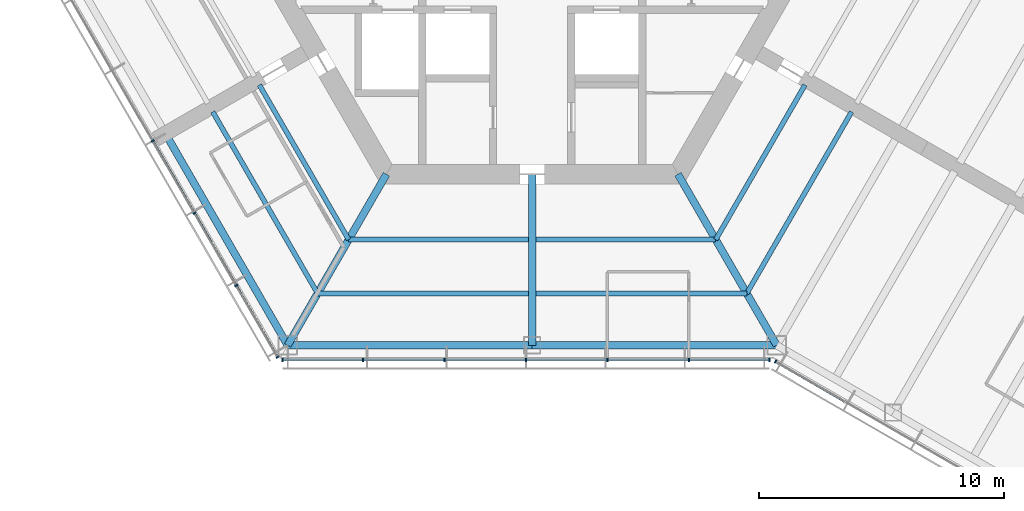
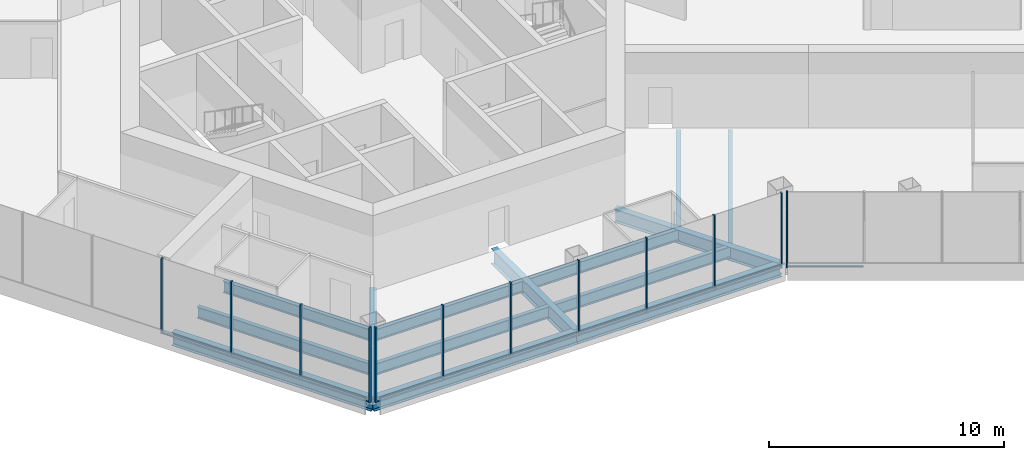
# One storey, part 2 of 15: 22 members, 14 beams, 3 elements without a shape of their own.
"""IFC4 building model written with IfcOpenShell, lengths in metres."""

from ifc_helpers import new_model, si_unit, direction, frame, origin, origin_2d, place, context, subcontext, project, spatial, rectangle, i_section, extrude, material, material_profile, profile_set, type_object, element, aggregate, save


model = new_model("IFC4")

# Units and contexts
model_context = context("Model", 3, precision=1e-05, world=origin(), true_north=direction((0.0, 1.0)))
body_context = subcontext(model_context, "Body", "Model", "MODEL_VIEW")
ifc_project = project(units=[si_unit("LENGTHUNIT", "METRE"), si_unit("AREAUNIT", "SQUARE_METRE"), si_unit("VOLUMEUNIT", "CUBIC_METRE"), si_unit("PLANEANGLEUNIT", "RADIAN"), si_unit("MASSUNIT", "GRAM", prefix="KILO")], contexts=[model_context])

# Site, building, storey
site_placement = place(None, origin())
site = spatial("IfcSite", under=ifc_project, at=site_placement, CompositionType="ELEMENT")
building_placement = place(site_placement, origin())
building = spatial("IfcBuilding", under=site, at=building_placement, Name="Kasaneha Research Tower", CompositionType="ELEMENT")
storey_placement = place(building_placement, frame((0.0, 0.0, 240.10009765625)))
storey = spatial("IfcBuildingStorey", under=building, at=storey_placement, Name="L60", CompositionType="ELEMENT", Elevation=240.10009765625)

# Beams
ifc_material_1 = material(Name="Steel SN490B", Category="steel")
ifc_material_profile_1 = material_profile(ifc_material_1, i_section(OverallWidth=0.199951171875, OverallDepth=0.60009765625, WebThickness=0.010986328125, FlangeThickness=0.01708984375, FilletRadius=0.012939453125, at=origin_2d()), Name="H-600x200x11x17")
ifc_profile_set_1 = profile_set([ifc_material_profile_1], Name="Steel SN490B")
beam_type_1 = type_object("IfcBeamType", Name="B1-3 secondary beam H-600x200x11x17", PredefinedType="JOIST", material=ifc_profile_set_1)
beam_1_placement = place(storey_placement, frame((-7.505615234375, -13.0, -0.4501953125), z_axis=(-0.499999192304, 0.866025870108, 0.0), x_axis=(-0.866025870108, -0.499999192304, 0.0)))
element("IfcBeam", 1, at=beam_1_placement, inside=storey, type_object=beam_type_1, Name="Secondary beam RS210R1 L60", PredefinedType="JOIST", context=body_context, shape_type="SweptSolid", body=[
    extrude(i_section(OverallWidth=0.199951171875, OverallDepth=0.60009765625, WebThickness=0.010986328125, FlangeThickness=0.01708984375, FilletRadius=0.012939453125, at=origin_2d()), origin(), (0.0, 0.0, 1.0), 7.3056640625),
])
beam_2_placement = place(storey_placement, frame((-8.775634765625, -15.199951171875, -0.4501953125), z_axis=(-0.500000102728, 0.866025344474, 0.0), x_axis=(-0.866025344474, -0.500000102728, 0.0)))
element("IfcBeam", 2, at=beam_2_placement, inside=storey, type_object=beam_type_1, Name="Secondary beam RS210R2 L60", PredefinedType="JOIST", context=body_context, shape_type="SweptSolid", body=[
    extrude(i_section(OverallWidth=0.199951171875, OverallDepth=0.60009765625, WebThickness=0.010986328125, FlangeThickness=0.01708984375, FilletRadius=0.012939453125, at=origin_2d()), origin(), (0.0, 0.0, 1.0), 8.57568359375),
])
beam_3_placement = place(storey_placement, frame((-7.505615234375, -13.0, -0.4501953125), z_axis=(1.0, 0.0, 0.0), x_axis=(0.0, 1.0, 0.0)))
element("IfcBeam", 3, at=beam_3_placement, inside=storey, type_object=beam_type_1, Name="Secondary beam RS270L1 L60", PredefinedType="JOIST", context=body_context, shape_type="SweptSolid", body=[
    extrude(i_section(OverallWidth=0.199951171875, OverallDepth=0.60009765625, WebThickness=0.010986328125, FlangeThickness=0.01708984375, FilletRadius=0.012939453125, at=origin_2d()), origin(), (0.0, 0.0, 1.0), 7.355712890625),
])
beam_4_placement = place(storey_placement, frame((-8.775634765625, -15.199951171875, -0.4501953125), z_axis=(1.0, 0.0, 0.0), x_axis=(0.0, 1.0, 0.0)))
element("IfcBeam", 4, at=beam_4_placement, inside=storey, type_object=beam_type_1, Name="Secondary beam RS270L2 L60", PredefinedType="JOIST", context=body_context, shape_type="SweptSolid", body=[
    extrude(i_section(OverallWidth=0.199951171875, OverallDepth=0.60009765625, WebThickness=0.010986328125, FlangeThickness=0.01708984375, FilletRadius=0.012939453125, at=origin_2d()), origin(), (0.0, 0.0, 1.0), 8.625732421875),
])
beam_5_placement = place(storey_placement, frame((7.505615234375, -13.0, -0.4501953125), z_axis=(-1.0, 0.0, 0.0), x_axis=(0.0, -1.0, 0.0)))
element("IfcBeam", 5, at=beam_5_placement, inside=storey, type_object=beam_type_1, Name="Secondary beam RS270R1 L60", PredefinedType="JOIST", context=body_context, shape_type="SweptSolid", body=[
    extrude(i_section(OverallWidth=0.199951171875, OverallDepth=0.60009765625, WebThickness=0.010986328125, FlangeThickness=0.01708984375, FilletRadius=0.012939453125, at=origin_2d()), origin(), (0.0, 0.0, 1.0), 7.355712890625),
])
beam_6_placement = place(storey_placement, frame((8.775634765625, -15.199951171875, -0.4501953125), z_axis=(-1.0, 0.0, 0.0), x_axis=(0.0, -1.0, 0.0)))
element("IfcBeam", 6, at=beam_6_placement, inside=storey, type_object=beam_type_1, Name="Secondary beam RS270R2 L60", PredefinedType="JOIST", context=body_context, shape_type="SweptSolid", body=[
    extrude(i_section(OverallWidth=0.199951171875, OverallDepth=0.60009765625, WebThickness=0.010986328125, FlangeThickness=0.01708984375, FilletRadius=0.012939453125, at=origin_2d()), origin(), (0.0, 0.0, 1.0), 8.625732421875),
])
beam_7_placement = place(storey_placement, frame((7.505615234375, -13.0, -0.4501953125), z_axis=(0.499999192304, 0.866025870108, 0.0), x_axis=(-0.866025870108, 0.499999192304, 0.0)))
element("IfcBeam", 7, at=beam_7_placement, inside=storey, type_object=beam_type_1, Name="Secondary beam RS330L1 L60", PredefinedType="JOIST", context=body_context, shape_type="SweptSolid", body=[
    extrude(i_section(OverallWidth=0.199951171875, OverallDepth=0.60009765625, WebThickness=0.010986328125, FlangeThickness=0.01708984375, FilletRadius=0.012939453125, at=origin_2d()), origin(), (0.0, 0.0, 1.0), 7.3056640625),
])
beam_8_placement = place(storey_placement, frame((8.775634765625, -15.199951171875, -0.4501953125), z_axis=(0.500000102728, 0.866025344474, 0.0), x_axis=(-0.866025344474, 0.500000102728, 0.0)))
element("IfcBeam", 8, at=beam_8_placement, inside=storey, type_object=beam_type_1, Name="Secondary beam RS330L2 L60", PredefinedType="JOIST", context=body_context, shape_type="SweptSolid", body=[
    extrude(i_section(OverallWidth=0.199951171875, OverallDepth=0.60009765625, WebThickness=0.010986328125, FlangeThickness=0.01708984375, FilletRadius=0.012939453125, at=origin_2d()), origin(), (0.0, 0.0, 1.0), 8.57568359375),
])

# Curtain wall, members
ifc_material_2 = material(Name="Glass and aluminium", Category="aluminium")
curtain_wall_type = type_object("IfcCurtainWallType", Name="High-rise office curtain wall", PredefinedType="USERDEFINED", material=ifc_material_2)
curtain_wall_1_placement = place(storey_placement, origin())
curtain_wall_1 = element("IfcCurtainWall", 9, at=curtain_wall_1_placement, inside=storey, type_object=curtain_wall_type, Name="CW-O3 L60 run 04a", ObjectType="UNITISED CURTAIN WALL", PredefinedType="USERDEFINED")
ifc_material_3 = material(Name="Aluminium 6063-T6", Category="aluminium")
ifc_material_profile_2 = material_profile(ifc_material_3, rectangle(XDim=0.06005859375, YDim=0.139892578125, at=origin_2d()), Name="CW-O3 mullion 60x140")
ifc_profile_set_2 = profile_set([ifc_material_profile_2], Name="Aluminium 6063-T6")
member_type_1 = type_object("IfcMemberType", Name="CW-O3 mullion", PredefinedType="MULLION", material=ifc_profile_set_2)
member_1_placement = place(storey_placement, frame((-15.51953125, -8.960205078125, 0.0), z_axis=(0.0, 0.0, 1.0), x_axis=(0.499999995722, -0.866025406254, 0.0)))
member_1 = element("IfcMember", 10, at=member_1_placement, type_object=member_type_1, Name="CW-O3 mullion 4", PredefinedType="MULLION", context=body_context, shape_type="SweptSolid", body=[
    extrude(rectangle(XDim=0.06005859375, YDim=0.139892578125, at=origin_2d()), origin(), (0.0, 0.0, 1.0), 3.89990234375),
])
member_2_placement = place(storey_placement, frame((-13.811767578125, -11.918212890625, 0.0), z_axis=(0.0, 0.0, 1.0), x_axis=(0.499999995722, -0.866025406254, 0.0)))
member_2 = element("IfcMember", 11, at=member_2_placement, type_object=member_type_1, Name="CW-O3 mullion 5", PredefinedType="MULLION", context=body_context, shape_type="SweptSolid", body=[
    extrude(rectangle(XDim=0.06005859375, YDim=0.139892578125, at=origin_2d()), origin(), (0.0, 0.0, 1.0), 3.89990234375),
])
member_3_placement = place(storey_placement, frame((-12.104248046875, -14.8759765625, 0.0), z_axis=(0.0, 0.0, 1.0), x_axis=(0.499999995722, -0.866025406254, 0.0)))
member_3 = element("IfcMember", 12, at=member_3_placement, type_object=member_type_1, Name="CW-O3 mullion 6", PredefinedType="MULLION", context=body_context, shape_type="SweptSolid", body=[
    extrude(rectangle(XDim=0.06005859375, YDim=0.139892578125, at=origin_2d()), origin(), (0.0, 0.0, 1.0), 3.89990234375),
])
member_4_placement = place(storey_placement, frame((-10.411376953125, -17.807861328125, 0.0), z_axis=(0.0, 0.0, 1.0), x_axis=(0.499999995722, -0.866025406254, 0.0)))
member_4 = element("IfcMember", 13, at=member_4_placement, type_object=member_type_1, Name="CW-O3 mullion 7", PredefinedType="MULLION", context=body_context, shape_type="SweptSolid", body=[
    extrude(rectangle(XDim=0.06005859375, YDim=0.139892578125, at=origin_2d()), origin(), (0.0, 0.0, 1.0), 3.89990234375),
])

curtain_wall_2_placement = place(storey_placement, origin())
curtain_wall_2 = element("IfcCurtainWall", 14, at=curtain_wall_2_placement, inside=storey, type_object=curtain_wall_type, Name="CW-O3 L60 run 05a", ObjectType="UNITISED CURTAIN WALL", PredefinedType="USERDEFINED")
member_5_placement = place(storey_placement, frame((-10.21630859375, -17.92041015625, 0.0), z_axis=(0.0, 0.0, 1.0), x_axis=(1.0, 0.0, 0.0)))
member_5 = element("IfcMember", 15, at=member_5_placement, type_object=member_type_1, Name="CW-O3 mullion 1", PredefinedType="MULLION", context=body_context, shape_type="SweptSolid", body=[
    extrude(rectangle(XDim=0.06005859375, YDim=0.139892578125, at=origin_2d()), origin(), (0.0, 0.0, 1.0), 3.89990234375),
])
member_6_placement = place(storey_placement, frame((-6.91552734375, -17.92041015625, 0.0), z_axis=(0.0, 0.0, 1.0), x_axis=(1.0, 0.0, 0.0)))
member_6 = element("IfcMember", 16, at=member_6_placement, type_object=member_type_1, Name="CW-O3 mullion 2", PredefinedType="MULLION", context=body_context, shape_type="SweptSolid", body=[
    extrude(rectangle(XDim=0.06005859375, YDim=0.139892578125, at=origin_2d()), origin(), (0.0, 0.0, 1.0), 3.89990234375),
])
member_7_placement = place(storey_placement, frame((-3.58447265625, -17.92041015625, 0.0), z_axis=(0.0, 0.0, 1.0), x_axis=(1.0, 0.0, 0.0)))
member_7 = element("IfcMember", 17, at=member_7_placement, type_object=member_type_1, Name="CW-O3 mullion 3", PredefinedType="MULLION", context=body_context, shape_type="SweptSolid", body=[
    extrude(rectangle(XDim=0.06005859375, YDim=0.139892578125, at=origin_2d()), origin(), (0.0, 0.0, 1.0), 3.89990234375),
])
member_8_placement = place(storey_placement, frame((-0.253662109375, -17.92041015625, 0.0), z_axis=(0.0, 0.0, 1.0), x_axis=(1.0, 0.0, 0.0)))
member_8 = element("IfcMember", 18, at=member_8_placement, type_object=member_type_1, Name="CW-O3 mullion 4", PredefinedType="MULLION", context=body_context, shape_type="SweptSolid", body=[
    extrude(rectangle(XDim=0.06005859375, YDim=0.139892578125, at=origin_2d()), origin(), (0.0, 0.0, 1.0), 3.89990234375),
])
member_9_placement = place(storey_placement, frame((3.077392578125, -17.92041015625, 0.0), z_axis=(0.0, 0.0, 1.0), x_axis=(1.0, 0.0, 0.0)))
member_9 = element("IfcMember", 19, at=member_9_placement, type_object=member_type_1, Name="CW-O3 mullion 5", PredefinedType="MULLION", context=body_context, shape_type="SweptSolid", body=[
    extrude(rectangle(XDim=0.06005859375, YDim=0.139892578125, at=origin_2d()), origin(), (0.0, 0.0, 1.0), 3.89990234375),
])
member_10_placement = place(storey_placement, frame((6.408203125, -17.92041015625, 0.0), z_axis=(0.0, 0.0, 1.0), x_axis=(1.0, 0.0, 0.0)))
member_10 = element("IfcMember", 20, at=member_10_placement, type_object=member_type_1, Name="CW-O3 mullion 6", PredefinedType="MULLION", context=body_context, shape_type="SweptSolid", body=[
    extrude(rectangle(XDim=0.06005859375, YDim=0.139892578125, at=origin_2d()), origin(), (0.0, 0.0, 1.0), 3.89990234375),
])
member_11_placement = place(storey_placement, frame((9.709228515625, -17.92041015625, 0.0), z_axis=(0.0, 0.0, 1.0), x_axis=(1.0, 0.0, 0.0)))
member_11 = element("IfcMember", 21, at=member_11_placement, type_object=member_type_1, Name="CW-O3 mullion 7", PredefinedType="MULLION", context=body_context, shape_type="SweptSolid", body=[
    extrude(rectangle(XDim=0.06005859375, YDim=0.139892578125, at=origin_2d()), origin(), (0.0, 0.0, 1.0), 3.89990234375),
])

# Curtain wall, member
curtain_wall_3_placement = place(storey_placement, origin())
curtain_wall_3 = element("IfcCurtainWall", 22, at=curtain_wall_3_placement, inside=storey, type_object=curtain_wall_type, Name="CW-O3 L60 run 06a", ObjectType="UNITISED CURTAIN WALL", PredefinedType="USERDEFINED")
member_12_placement = place(storey_placement, frame((9.951904296875, -17.985595703125, 0.0), z_axis=(0.0, 0.0, 1.0), x_axis=(0.866025411464, -0.499999986699, 0.0)))
member_12 = element("IfcMember", 23, at=member_12_placement, type_object=member_type_1, Name="CW-O3 mullion 1", PredefinedType="MULLION", context=body_context, shape_type="SweptSolid", body=[
    extrude(rectangle(XDim=0.06005859375, YDim=0.139892578125, at=origin_2d()), origin(), (0.0, 0.0, 1.0), 3.89990234375),
])

# Member
ifc_material_4 = material(Name="Aluminium 6063-T6", Category="aluminium")
ifc_material_profile_3 = material_profile(ifc_material_4, rectangle(XDim=0.10009765625, YDim=0.06005859375, at=origin_2d()), Name="CW-O3 transom 100x60")
ifc_profile_set_3 = profile_set([ifc_material_profile_3], Name="Aluminium 6063-T6")
member_type_2 = type_object("IfcMemberType", Name="CW-O3 transom", PredefinedType="USERDEFINED", material=ifc_profile_set_3)
member_13_placement = place(storey_placement, frame((-15.504638671875, -8.986328125, 0.02978515625), z_axis=(0.500020578564, -0.866013522419, 0.0), x_axis=(0.866013522419, 0.500020578564, 0.0)))
member_13 = element("IfcMember", 24, at=member_13_placement, type_object=member_type_2, Name="CW-O3 transom 4", ObjectType="TRANSOM", PredefinedType="USERDEFINED", context=body_context, shape_type="SweptSolid", body=[
    extrude(rectangle(XDim=0.10009765625, YDim=0.06005859375, at=origin_2d()), origin(), (0.0, 0.0, 1.0), 3.355224609375),
])

member_14_placement = place(storey_placement, frame((-13.796875, -11.944091796875, 0.02978515625), z_axis=(0.499989072476, -0.866031712701, 0.0), x_axis=(0.866031712701, 0.499989072476, 0.0)))
member_14 = element("IfcMember", 25, at=member_14_placement, type_object=member_type_2, Name="CW-O3 transom 5", ObjectType="TRANSOM", PredefinedType="USERDEFINED", context=body_context, shape_type="SweptSolid", body=[
    extrude(rectangle(XDim=0.10009765625, YDim=0.06005859375, at=origin_2d()), origin(), (0.0, 0.0, 1.0), 3.35546875),
])

member_15_placement = place(storey_placement, frame((-12.089111328125, -14.902099609375, 0.02978515625), z_axis=(0.49997666526, -0.866038875684, 0.0), x_axis=(0.866038875684, 0.49997666526, 0.0)))
member_15 = element("IfcMember", 26, at=member_15_placement, type_object=member_type_2, Name="CW-O3 transom 6", ObjectType="TRANSOM", PredefinedType="USERDEFINED", context=body_context, shape_type="SweptSolid", body=[
    extrude(rectangle(XDim=0.10009765625, YDim=0.06005859375, at=origin_2d()), origin(), (0.0, 0.0, 1.0), 3.325439453125),
])

aggregate(curtain_wall_1, [member_1, member_2, member_3, member_4, member_13, member_14, member_15])

member_16_placement = place(storey_placement, frame((-10.1865234375, -17.92041015625, 0.02978515625), z_axis=(1.0, 0.0, 0.0), x_axis=(0.0, 1.0, 0.0)))
member_16 = element("IfcMember", 27, at=member_16_placement, type_object=member_type_2, Name="CW-O3 transom 1", ObjectType="TRANSOM", PredefinedType="USERDEFINED", context=body_context, shape_type="SweptSolid", body=[
    extrude(rectangle(XDim=0.10009765625, YDim=0.06005859375, at=origin_2d()), origin(), (0.0, 0.0, 1.0), 3.240966796875),
])

member_17_placement = place(storey_placement, frame((-6.885498046875, -17.92041015625, 0.02978515625), z_axis=(1.0, 0.0, 0.0), x_axis=(0.0, 1.0, 0.0)))
member_17 = element("IfcMember", 28, at=member_17_placement, type_object=member_type_2, Name="CW-O3 transom 2", ObjectType="TRANSOM", PredefinedType="USERDEFINED", context=body_context, shape_type="SweptSolid", body=[
    extrude(rectangle(XDim=0.10009765625, YDim=0.06005859375, at=origin_2d()), origin(), (0.0, 0.0, 1.0), 3.27099609375),
])

member_18_placement = place(storey_placement, frame((-3.554443359375, -17.92041015625, 0.02978515625), z_axis=(1.0, 0.0, 0.0), x_axis=(0.0, 1.0, 0.0)))
member_18 = element("IfcMember", 29, at=member_18_placement, type_object=member_type_2, Name="CW-O3 transom 3", ObjectType="TRANSOM", PredefinedType="USERDEFINED", context=body_context, shape_type="SweptSolid", body=[
    extrude(rectangle(XDim=0.10009765625, YDim=0.06005859375, at=origin_2d()), origin(), (0.0, 0.0, 1.0), 3.270751953125),
])

member_19_placement = place(storey_placement, frame((-0.2236328125, -17.92041015625, 0.02978515625), z_axis=(1.0, 0.0, 0.0), x_axis=(0.0, 1.0, 0.0)))
member_19 = element("IfcMember", 30, at=member_19_placement, type_object=member_type_2, Name="CW-O3 transom 4", ObjectType="TRANSOM", PredefinedType="USERDEFINED", context=body_context, shape_type="SweptSolid", body=[
    extrude(rectangle(XDim=0.10009765625, YDim=0.06005859375, at=origin_2d()), origin(), (0.0, 0.0, 1.0), 3.27099609375),
])

member_20_placement = place(storey_placement, frame((3.107421875, -17.92041015625, 0.02978515625), z_axis=(1.0, 0.0, 0.0), x_axis=(0.0, 1.0, 0.0)))
member_20 = element("IfcMember", 31, at=member_20_placement, type_object=member_type_2, Name="CW-O3 transom 5", ObjectType="TRANSOM", PredefinedType="USERDEFINED", context=body_context, shape_type="SweptSolid", body=[
    extrude(rectangle(XDim=0.10009765625, YDim=0.06005859375, at=origin_2d()), origin(), (0.0, 0.0, 1.0), 3.270751953125),
])

member_21_placement = place(storey_placement, frame((6.438232421875, -17.92041015625, 0.02978515625), z_axis=(1.0, 0.0, 0.0), x_axis=(0.0, 1.0, 0.0)))
member_21 = element("IfcMember", 32, at=member_21_placement, type_object=member_type_2, Name="CW-O3 transom 6", ObjectType="TRANSOM", PredefinedType="USERDEFINED", context=body_context, shape_type="SweptSolid", body=[
    extrude(rectangle(XDim=0.10009765625, YDim=0.06005859375, at=origin_2d()), origin(), (0.0, 0.0, 1.0), 3.240966796875),
])

aggregate(curtain_wall_2, [member_5, member_6, member_7, member_8, member_9, member_10, member_11, member_16, member_17, member_18, member_19, member_20, member_21])

member_22_placement = place(storey_placement, frame((9.977783203125, -18.00048828125, 0.02978515625), z_axis=(0.866022692473, -0.500004696101, 0.0), x_axis=(0.500004696101, 0.866022692473, 0.0)))
member_22 = element("IfcMember", 33, at=member_22_placement, type_object=member_type_2, Name="CW-O3 transom 1", ObjectType="TRANSOM", PredefinedType="USERDEFINED", context=body_context, shape_type="SweptSolid", body=[
    extrude(rectangle(XDim=0.10009765625, YDim=0.06005859375, at=origin_2d()), origin(), (0.0, 0.0, 1.0), 3.2197265625),
])

aggregate(curtain_wall_3, [member_12, member_22])

# Beams
ifc_material_5 = material(Name="Steel SN490B", Category="steel")
ifc_material_profile_4 = material_profile(ifc_material_5, i_section(OverallWidth=0.300048828125, OverallDepth=0.699951171875, WebThickness=0.012939453125, FlangeThickness=0.02392578125, FilletRadius=0.01806640625, at=origin_2d()), Name="H-700x300x13x24")
ifc_profile_set_4 = profile_set([ifc_material_profile_4], Name="Steel SN490B")
beam_type_2 = type_object("IfcBeamType", Name="G1-3 radial girder H-700x300x13x24", PredefinedType="BEAM", material=ifc_profile_set_4)
for number, where, z_axis, x_axis, name in (
    (34, (-5.961181640625, -10.324951171875, -0.5), (-0.49999105496, -0.866030568144, 0.0), (0.866030568144, -0.49999105496, 0.0), "Radial girder RV240 L60"),
    (35, (5.961181640625, -10.324951171875, -0.5), (0.49999105496, -0.866030568144, 0.0), (0.866030568144, 0.49999105496, 0.0), "Radial girder RV300 L60"),
):
    element("IfcBeam", number, at=place(storey_placement, frame(where, z_axis=z_axis, x_axis=x_axis)), inside=storey, type_object=beam_type_2, Name=name, PredefinedType="BEAM", context=body_context, shape_type="SweptSolid", body=[
        extrude(i_section(OverallWidth=0.300048828125, OverallDepth=0.699951171875, WebThickness=0.012939453125, FlangeThickness=0.02392578125, FilletRadius=0.01806640625, at=origin_2d()), origin(), (0.0, 0.0, 1.0), 8.077880859375),
    ])
ifc_material_6 = material(Name="Steel SN490B", Category="steel")
ifc_material_profile_5 = material_profile(ifc_material_6, i_section(OverallWidth=0.300048828125, OverallDepth=0.800048828125, WebThickness=0.013916015625, FlangeThickness=0.02587890625, FilletRadius=0.01806640625, at=origin_2d()), Name="H-800x300x14x26")
ifc_profile_set_5 = profile_set([ifc_material_profile_5], Name="Steel SN490B")
beam_type_3 = type_object("IfcBeamType", Name="G2-3 radial girder H-800x300x14x26", PredefinedType="BEAM", material=ifc_profile_set_5)
beam_9_placement = place(storey_placement, frame((0.0, -10.324951171875, -0.550048828125), z_axis=(0.0, -1.0, 0.0), x_axis=(1.0, 0.0, 0.0)))
element("IfcBeam", 36, at=beam_9_placement, inside=storey, type_object=beam_type_3, Name="Radial girder RM270 L60", PredefinedType="BEAM", context=body_context, shape_type="SweptSolid", body=[
    extrude(i_section(OverallWidth=0.300048828125, OverallDepth=0.800048828125, WebThickness=0.013916015625, FlangeThickness=0.02587890625, FilletRadius=0.01806640625, at=origin_2d()), origin(), (0.0, 0.0, 1.0), 6.99560546875),
])
ifc_material_7 = material(Name="Steel SN490B", Category="steel")
ifc_material_profile_6 = material_profile(ifc_material_7, i_section(OverallWidth=0.300048828125, OverallDepth=0.69189453125, WebThickness=0.012939453125, FlangeThickness=0.02001953125, FilletRadius=0.01806640625, at=origin_2d()), Name="H-692x300x13x20")
ifc_profile_set_6 = profile_set([ifc_material_profile_6], Name="Steel SN490B")
beam_type_4 = type_object("IfcBeamType", Name="G3-3 plate edge girder H-692x300x13x20", PredefinedType="BEAM", material=ifc_profile_set_6)
beam_10_placement = place(storey_placement, frame((-10.0, -17.320556640625, -0.49609375), z_axis=(-0.49999201416, 0.866030014362, 0.0), x_axis=(-0.866030014362, -0.49999201416, 0.0)))
element("IfcBeam", 37, at=beam_10_placement, inside=storey, type_object=beam_type_4, Name="Plate edge girder PEBN L60", PredefinedType="BEAM", context=body_context, shape_type="SweptSolid", body=[
    extrude(i_section(OverallWidth=0.300048828125, OverallDepth=0.69189453125, WebThickness=0.012939453125, FlangeThickness=0.02001953125, FilletRadius=0.01806640625, at=origin_2d()), origin(), (0.0, 0.0, 1.0), 9.800048828125),
])
ifc_material_8 = material(Name="Steel SN490B", Category="steel")
ifc_material_profile_7 = material_profile(ifc_material_8, i_section(OverallWidth=0.300048828125, OverallDepth=0.69189453125, WebThickness=0.012939453125, FlangeThickness=0.02001953125, FilletRadius=0.01806640625, at=origin_2d()), Name="H-692x300x13x20")
ifc_profile_set_7 = profile_set([ifc_material_profile_7], Name="Steel SN490B")
beam_type_5 = type_object("IfcBeamType", Name="SB1-3 spandrel beam H-692x300x13x20", PredefinedType="SPANDREL", material=ifc_profile_set_7)
for number, where, z_axis, x_axis, name in (
    (38, (-10.0, -17.320556640625, -0.49609375), (1.0, 0.0, 0.0), (0.0, 1.0, 0.0), "Spandrel beam SR270L L60"),
    (39, (10.0, -17.320556640625, -0.49609375), (-1.0, 0.0, 0.0), (0.0, -1.0, 0.0), "Spandrel beam SR270R L60"),
):
    element("IfcBeam", number, at=place(storey_placement, frame(where, z_axis=z_axis, x_axis=x_axis)), inside=storey, type_object=beam_type_5, Name=name, PredefinedType="SPANDREL", context=body_context, shape_type="SweptSolid", body=[
        extrude(i_section(OverallWidth=0.300048828125, OverallDepth=0.69189453125, WebThickness=0.012939453125, FlangeThickness=0.02001953125, FilletRadius=0.01806640625, at=origin_2d()), origin(), (0.0, 0.0, 1.0), 10.0),
    ])

save(model, "model.ifc")
